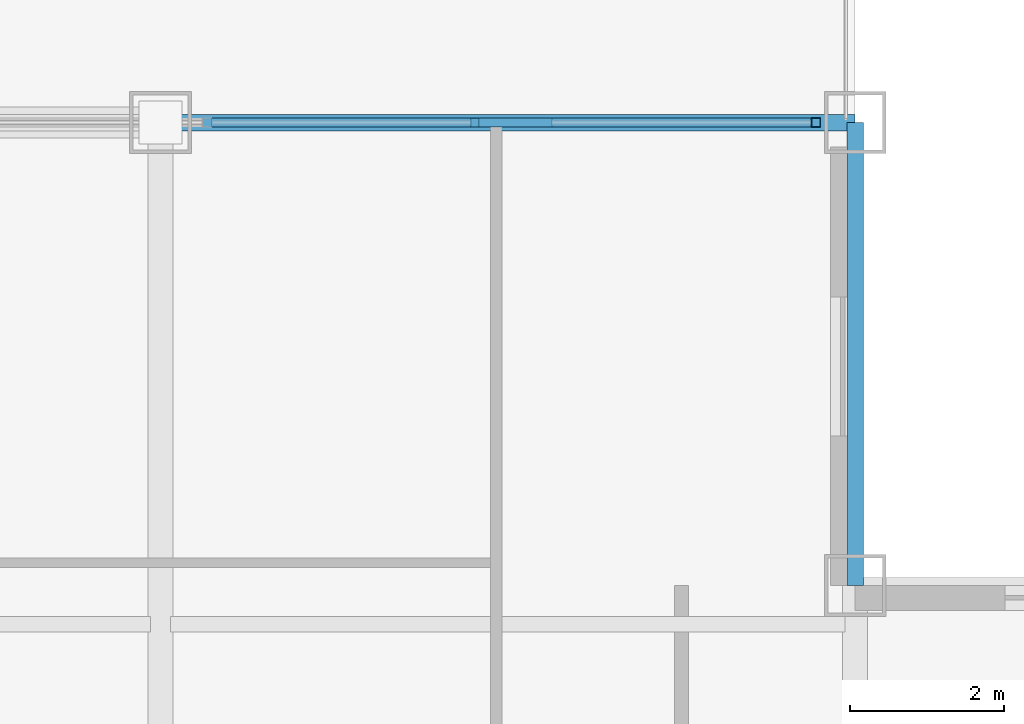
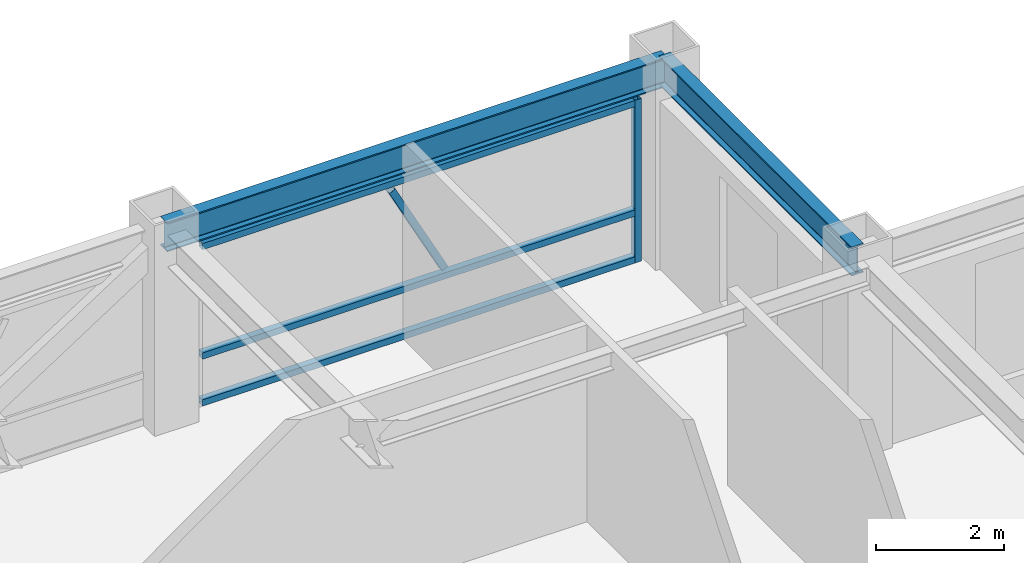
# One storey, part 22 of 30: 5 members, 2 beams, 1 element without a shape of its own.
"""IFC4 building model written with IfcOpenShell, lengths in metres."""

from ifc_helpers import new_model, si_unit, direction, frame, origin, origin_2d, place, context, subcontext, project, spatial, hollow_rectangle, i_section, extrude, source, transform, mapped, material, material_profile, profile_set, type_object, element, aggregate, save


model = new_model("IFC4")

# Units and contexts
model_context = context("Model", 3, precision=1e-05, world=origin(), true_north=direction((0.0, 1.0)))
body_context = subcontext(model_context, "Body", "Model", "MODEL_VIEW")
ifc_project = project(units=[si_unit("LENGTHUNIT", "METRE"), si_unit("AREAUNIT", "SQUARE_METRE"), si_unit("VOLUMEUNIT", "CUBIC_METRE"), si_unit("PLANEANGLEUNIT", "RADIAN"), si_unit("MASSUNIT", "GRAM", prefix="KILO")], contexts=[model_context])

# Site, building, storey
site_placement = place(None, origin())
site = spatial("IfcSite", under=ifc_project, at=site_placement, CompositionType="ELEMENT")
building_placement = place(site_placement, origin())
building = spatial("IfcBuilding", under=site, at=building_placement, Name="Khorayat Bourse Tower", CompositionType="ELEMENT")
storey_placement = place(building_placement, frame((0.0, 0.0, 326.300048828125)))
storey = spatial("IfcBuildingStorey", under=building, at=storey_placement, Name="L77", CompositionType="ELEMENT", Elevation=326.300048828125)

# Beams
ifc_material_1 = material(Name="Steel ASTM A992 Grade 50", Category="steel")
ifc_material_profile_1 = material_profile(ifc_material_1, i_section(OverallWidth=0.214111328125, OverallDepth=0.549072265625, WebThickness=0.0146484375, FlangeThickness=0.023681640625, FilletRadius=0.013916015625, at=origin_2d()), Name="W530X138")
ifc_profile_set_1 = profile_set([ifc_material_profile_1], Name="Steel ASTM A992 Grade 50")
beam_type = type_object("IfcBeamType", Name="BM-SPAN-530", PredefinedType="SPANDREL", material=ifc_profile_set_1)
shared_shape_1 = source(origin(), body_context, "Body", "SweptSolid", [
    extrude(i_section(OverallWidth=0.214111328125, OverallDepth=0.549072265625, WebThickness=0.0146484375, FlangeThickness=0.023681640625, FilletRadius=0.013916015625, at=origin_2d()), origin(), (0.0, 0.0, 1.0), 9.0),
])
beam_1_placement = place(storey_placement, frame((11.0, 26.0, 3.46533203125), z_axis=(1.0, 0.0, 0.0), x_axis=(0.0, 1.0, 0.0)))
element("IfcBeam", 1, at=beam_1_placement, inside=storey, type_object=beam_type, Name="L77 BM-SPAN-530 BM-L77-SPN-040", PredefinedType="SPANDREL", context=body_context, shape_type="MappedRepresentation", body=[
    mapped(shared_shape_1, transform((0.0, 0.0, 0.0), scale=1.0)),
])
shared_shape_2 = source(origin(), body_context, "Body", "SweptSolid", [
    extrude(i_section(OverallWidth=0.214111328125, OverallDepth=0.549072265625, WebThickness=0.0146484375, FlangeThickness=0.023681640625, FilletRadius=0.013916015625, at=origin_2d()), origin(), (0.0, 0.0, 1.0), 6.0),
])
beam_2_placement = place(storey_placement, frame((20.0, 20.0, 3.46533203125), z_axis=(0.0, 1.0, 0.0), x_axis=(-1.0, 0.0, 0.0)))
element("IfcBeam", 2, at=beam_2_placement, inside=storey, type_object=beam_type, Name="L77 BM-SPAN-530 BM-L77-SPN-039", PredefinedType="SPANDREL", context=body_context, shape_type="MappedRepresentation", body=[
    mapped(shared_shape_2, transform((0.0, 0.0, 0.0), scale=1.0)),
])

# Curtain wall, members
ifc_material_2 = material(Name="Aluminium EN AW-6063 T6", Category="aluminium")
curtain_wall_type = type_object("IfcCurtainWallType", Name="CW-SYS-04", PredefinedType="NOTDEFINED", material=ifc_material_2)
curtain_wall_placement = place(storey_placement, origin())
curtain_wall = element("IfcCurtainWall", 3, at=curtain_wall_placement, inside=storey, type_object=curtain_wall_type, Name="L77 Curtain Wall CW-L77-N2", PredefinedType="NOTDEFINED")
ifc_material_profile_2 = material_profile(ifc_material_2, hollow_rectangle(XDim=0.1201171875, YDim=0.1201171875, WallThickness=0.0048828125, at=origin_2d()), Name="ALU 120x120x5")
ifc_profile_set_2 = profile_set([ifc_material_profile_2], Name="Aluminium EN AW-6063 T6")
member_type_1 = type_object("IfcMemberType", Name="CWM-VERT-120", PredefinedType="MULLION", material=ifc_profile_set_2)
shared_shape_3 = source(origin(), body_context, "Body", "SweptSolid", [
    extrude(hollow_rectangle(XDim=0.1201171875, YDim=0.1201171875, WallThickness=0.0048828125, at=origin_2d()), origin(), (0.0, 0.0, 1.0), 3.08984375),
])
member_1_placement = place(storey_placement, frame((19.489990234375, 26.0, 0.0), z_axis=(0.0, 0.0, 1.0), x_axis=(0.0, 1.0, 0.0)))
member_1 = element("IfcMember", 4, at=member_1_placement, type_object=member_type_1, Name="CW-L77-N2 Vertical Mullion 3", PredefinedType="MULLION", context=body_context, shape_type="MappedRepresentation", body=[
    mapped(shared_shape_3, transform((0.0, 0.0, 0.0), scale=1.0)),
])
ifc_material_profile_3 = material_profile(ifc_material_2, hollow_rectangle(XDim=0.1201171875, YDim=0.1201171875, WallThickness=0.0048828125, at=origin_2d()), Name="ALU 120x120x5")
ifc_profile_set_3 = profile_set([ifc_material_profile_3], Name="Aluminium EN AW-6063 T6")
member_type_2 = type_object("IfcMemberType", Name="CWM-DIAG-120", PredefinedType="MULLION", material=ifc_profile_set_3)
shared_shape_4 = source(origin(), body_context, "Body", "SweptSolid", [
    extrude(hollow_rectangle(XDim=0.1201171875, YDim=0.1201171875, WallThickness=0.0048828125, at=origin_2d()), origin(), (0.0, 0.0, 1.0), 2.0341796875),
])
member_2_placement = place(storey_placement, frame((16.018798828125, 26.0, 1.08984375), z_axis=(-0.465790950955, 0.0, 0.884894790361), x_axis=(0.0, -1.0, 0.0)))
member_2 = element("IfcMember", 5, at=member_2_placement, type_object=member_type_2, Name="CW-L77-N2 Faceted Diagonal Mullion 2", PredefinedType="MULLION", context=body_context, shape_type="MappedRepresentation", body=[
    mapped(shared_shape_4, transform((0.0, 0.0, 0.0), scale=1.0)),
])
ifc_material_profile_4 = material_profile(ifc_material_2, hollow_rectangle(XDim=0.1201171875, YDim=0.1201171875, WallThickness=0.0048828125, at=origin_2d()), Name="ALU 120x120x5")
ifc_profile_set_4 = profile_set([ifc_material_profile_4], Name="Aluminium EN AW-6063 T6")
member_type_3 = type_object("IfcMemberType", Name="CWT-HORZ-120", PredefinedType="USERDEFINED", material=ifc_profile_set_4)
shared_shape_5 = source(origin(), body_context, "Body", "SweptSolid", [
    extrude(hollow_rectangle(XDim=0.1201171875, YDim=0.1201171875, WallThickness=0.0048828125, at=origin_2d()), origin(), (0.0, 0.0, 1.0), 7.77001953125),
])
member_3_placement = place(storey_placement, frame((11.659912109375, 26.0, 0.06005859375), z_axis=(1.0, 0.0, 0.0), x_axis=(0.0, 1.0, 0.0)))
member_3 = element("IfcMember", 6, at=member_3_placement, type_object=member_type_3, Name="CW-L77-N2 Horizontal Transom 2-1", ObjectType="TRANSOM", PredefinedType="USERDEFINED", context=body_context, shape_type="MappedRepresentation", body=[
    mapped(shared_shape_5, transform((0.0, 0.0, 0.0), scale=1.0)),
])
member_4_placement = place(storey_placement, frame((11.659912109375, 26.0, 0.949951171875), z_axis=(1.0, 0.0, 0.0), x_axis=(0.0, 1.0, 0.0)))
member_4 = element("IfcMember", 7, at=member_4_placement, type_object=member_type_3, Name="CW-L77-N2 Horizontal Transom 2-2", ObjectType="TRANSOM", PredefinedType="USERDEFINED", context=body_context, shape_type="MappedRepresentation", body=[
    mapped(shared_shape_5, transform((0.0, 0.0, 0.0), scale=1.0)),
])
member_5_placement = place(storey_placement, frame((11.659912109375, 26.0, 3.030029296875), z_axis=(1.0, 0.0, 0.0), x_axis=(0.0, 1.0, 0.0)))
member_5 = element("IfcMember", 8, at=member_5_placement, type_object=member_type_3, Name="CW-L77-N2 Horizontal Transom 2-3", ObjectType="TRANSOM", PredefinedType="USERDEFINED", context=body_context, shape_type="MappedRepresentation", body=[
    mapped(shared_shape_5, transform((0.0, 0.0, 0.0), scale=1.0)),
])
aggregate(curtain_wall, [member_1, member_3, member_4, member_5, member_2])

save(model, "model.ifc")
